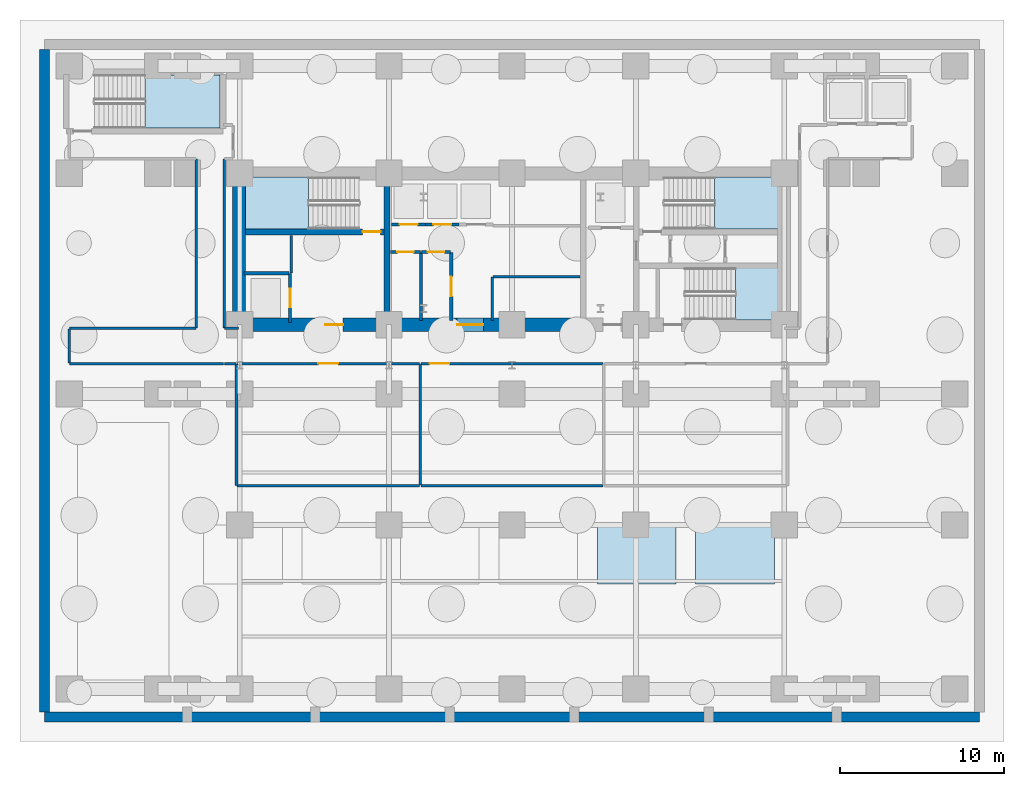
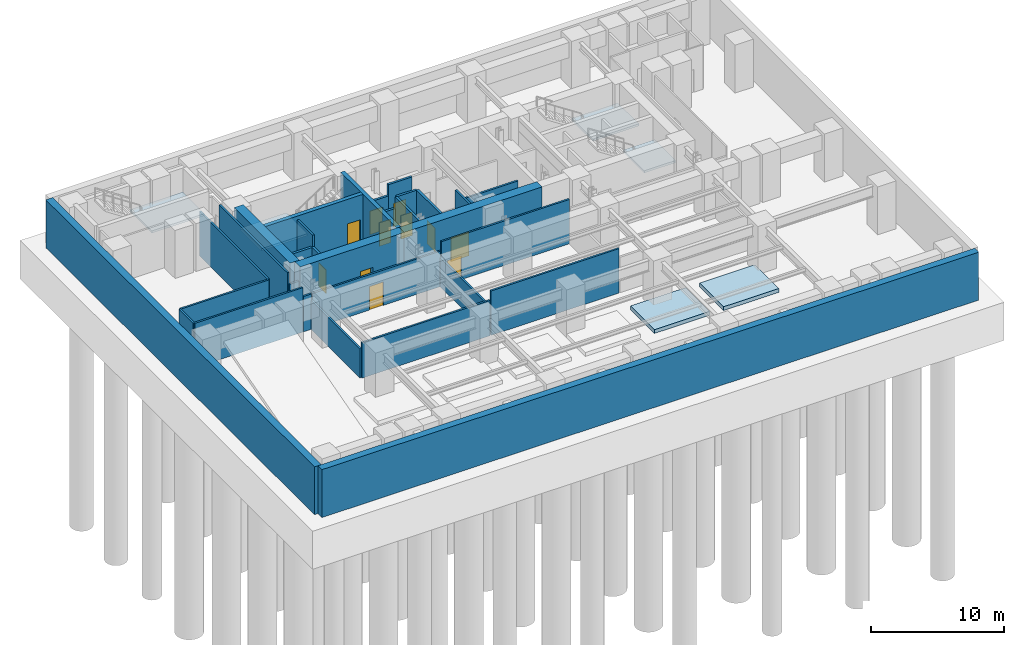
# One storey, part 3 of 9: 31 walls, 11 doors, 6 slabs, 11 openings, 4 elements without a shape of their own.
"""IFC4 building model written with IfcOpenShell, lengths in metres."""

from ifc_helpers import new_model, si_unit, direction, frame, frame_2d, origin, place, context, subcontext, project, spatial, polyline, rectangle, outline, extrude, material, layer, layer_set, type_object, element, fill, aggregate, save


model = new_model("IFC4")

# Units and contexts
model_context = context("Model", 3, precision=1e-05, world=origin(), true_north=direction((0.0, 1.0)))
body_context = subcontext(model_context, "Body", "Model", "MODEL_VIEW")
ifc_project = project(units=[si_unit("LENGTHUNIT", "METRE"), si_unit("AREAUNIT", "SQUARE_METRE"), si_unit("VOLUMEUNIT", "CUBIC_METRE"), si_unit("PLANEANGLEUNIT", "RADIAN"), si_unit("MASSUNIT", "GRAM", prefix="KILO")], contexts=[model_context])

# Site, building, storey
site_placement = place(None, origin())
site = spatial("IfcSite", under=ifc_project, at=site_placement, CompositionType="ELEMENT")
building_placement = place(site_placement, origin())
building = spatial("IfcBuilding", under=site, at=building_placement, Name="Zarnavel Station Tower", CompositionType="ELEMENT")
storey_placement = place(building_placement, frame((0.0, 0.0, -13.199951171875)))
storey = spatial("IfcBuildingStorey", under=building, at=storey_placement, Name="B03", CompositionType="ELEMENT", Elevation=-13.199951171875)

# Slabs
ifc_material_1 = material(Name="Concrete C45/55", Category="concrete")
ifc_layer_1 = layer(ifc_material_1, 0.35009765625)
ifc_layer_set_1 = layer_set([ifc_layer_1], Name="SL_BASE_350")
slab_type_1 = type_object("IfcSlabType", Name="SL_BASE_350", PredefinedType="BASESLAB", material=ifc_layer_set_1)
slab_1_placement = place(storey_placement, origin())
element("IfcSlab", 1, at=slab_1_placement, inside=storey, type_object=slab_type_1, Name="B03 Equipment Base Plinth Slab 05", PredefinedType="BASESLAB", context=body_context, shape_type="SweptSolid", body=[
    extrude(outline(polyline([(34.0, 12.0), (38.800048828125, 12.0), (38.800048828125, 15.60009765625), (34.0, 15.60009765625), (34.0, 12.0)])), origin(), (0.0, 0.0, 1.0), 0.349853515625),
])
slab_2_placement = place(storey_placement, origin())
element("IfcSlab", 2, at=slab_2_placement, inside=storey, type_object=slab_type_1, Name="B03 Equipment Base Plinth Slab 06", PredefinedType="BASESLAB", context=body_context, shape_type="SweptSolid", body=[
    extrude(outline(polyline([(40.0, 12.0), (44.800048828125, 12.0), (44.800048828125, 15.60009765625), (40.0, 15.60009765625), (40.0, 12.0)])), origin(), (0.0, 0.0, 1.0), 0.349853515625),
])

# Stair, slab
ifc_material_2 = material(Name="Concrete C45/55", Category="concrete")
stair_type_1 = type_object("IfcStairType", Name="ST_CORE_150", PredefinedType="HALF_TURN_STAIR", material=ifc_material_2)
stair_1_placement = place(storey_placement, origin())
stair_1 = element("IfcStair", 3, at=stair_1_placement, inside=storey, type_object=stair_type_1, Name="B03 Core Exit Stair ST1", PredefinedType="HALF_TURN_STAIR")
ifc_material_3 = material(Name="Concrete C45/55", Category="concrete")
ifc_layer_2 = layer(ifc_material_3, 0.199951171875)
ifc_layer_set_2 = layer_set([ifc_layer_2], Name="SL_STAIR_LAND_200")
slab_type_2 = type_object("IfcSlabType", Name="SL_STAIR_LAND_200", PredefinedType="LANDING", material=ifc_layer_set_2)
slab_3_placement = place(storey_placement, frame((0.0, 0.0, 2.0)))
slab_3 = element("IfcSlab", 4, at=slab_3_placement, type_object=slab_type_2, Name="ST1 landing 1", PredefinedType="LANDING", context=body_context, shape_type="SweptSolid", body=[
    extrude(outline(polyline([(16.39990234375, 36.820068359375), (12.39990234375, 36.820068359375), (12.39990234375, 33.659912109375), (16.39990234375, 33.659912109375), (16.39990234375, 36.820068359375)])), origin(), (0.0, 0.0, 1.0), 0.199951171875),
])
aggregate(stair_1, [slab_3])

stair_2_placement = place(storey_placement, origin())
stair_2 = element("IfcStair", 5, at=stair_2_placement, inside=storey, type_object=stair_type_1, Name="B03 Core Exit Stair ST2", PredefinedType="HALF_TURN_STAIR")
slab_4_placement = place(storey_placement, frame((0.0, 0.0, 2.0)))
slab_4 = element("IfcSlab", 6, at=slab_4_placement, type_object=slab_type_2, Name="ST2 landing 1", PredefinedType="LANDING", context=body_context, shape_type="SweptSolid", body=[
    extrude(outline(polyline([(41.159912109375, 33.659912109375), (45.159912109375, 33.659912109375), (45.159912109375, 36.820068359375), (41.159912109375, 36.820068359375), (41.159912109375, 33.659912109375)])), origin(), (0.0, 0.0, 1.0), 0.199951171875),
])
aggregate(stair_2, [slab_4])

stair_3_placement = place(storey_placement, origin())
stair_3 = element("IfcStair", 7, at=stair_3_placement, inside=storey, type_object=stair_type_1, Name="B03 Core Exit Stair ST3", PredefinedType="HALF_TURN_STAIR")
slab_5_placement = place(storey_placement, frame((0.0, 0.0, 2.0)))
slab_5 = element("IfcSlab", 8, at=slab_5_placement, type_object=slab_type_2, Name="ST3 landing 1", PredefinedType="LANDING", context=body_context, shape_type="SweptSolid", body=[
    extrude(outline(polyline([(42.429931640625, 28.1201171875), (45.14990234375, 28.1201171875), (45.14990234375, 31.280029296875), (42.429931640625, 31.280029296875), (42.429931640625, 28.1201171875)])), origin(), (0.0, 0.0, 1.0), 0.199951171875),
])
aggregate(stair_3, [slab_5])

ifc_material_4 = material(Name="Concrete C45/55", Category="concrete")
stair_type_2 = type_object("IfcStairType", Name="ST_POD_155", PredefinedType="HALF_TURN_STAIR", material=ifc_material_4)
stair_4_placement = place(storey_placement, origin())
stair_4 = element("IfcStair", 9, at=stair_4_placement, inside=storey, type_object=stair_type_2, Name="B03 Core Exit Stair ST4", PredefinedType="HALF_TURN_STAIR")
slab_6_placement = place(storey_placement, frame((0.0, 0.0, 2.0)))
slab_6 = element("IfcSlab", 10, at=slab_6_placement, type_object=slab_type_2, Name="ST4 landing 1", PredefinedType="LANDING", context=body_context, shape_type="SweptSolid", body=[
    extrude(outline(polyline([(6.429931640625, 39.800048828125), (11.0, 39.800048828125), (11.0, 43.06005859375), (6.429931640625, 43.06005859375), (6.429931640625, 39.800048828125)])), origin(), (0.0, 0.0, 1.0), 0.199951171875),
])
aggregate(stair_4, [slab_6])

# Wall
ifc_material_5 = material(Name="Concrete C50/60", Category="concrete")
ifc_layer_3 = layer(ifc_material_5, 0.35009765625)
ifc_layer_set_3 = layer_set([ifc_layer_3], Name="CW_350")
wall_type_1 = type_object("IfcWallType", Name="CW_350", PredefinedType="SHEAR", material=ifc_layer_set_3)
wall_1_placement = place(storey_placement, frame((21.179931640625, 28.219970703125, 0.0), z_axis=(0.0, 0.0, 1.0), x_axis=(0.0, 1.0, 0.0)))
element("IfcWall", 11, at=wall_1_placement, inside=storey, type_object=wall_type_1, Name="B03 Rear Core Shear Wall DIV-W", PredefinedType="SHEAR", context=body_context, shape_type="SweptSolid", body=[
    extrude(rectangle(XDim=8.429931640625, YDim=0.35009765625, at=frame_2d((4.21484375, 0.0))), origin(), (0.0, 0.0, 1.0), 4.39990234375),
])

# Wall, opening, door
wall_2_placement = place(storey_placement, frame((21.0048828125, 33.47998046875, 0.0), z_axis=(0.0, 0.0, 1.0), x_axis=(-1.0, 0.0, 0.0)))
wall_2 = element("IfcWall", 12, at=wall_2_placement, inside=storey, type_object=wall_type_1, Name="B03 Rear Core Shear Wall DIV-H1", PredefinedType="SHEAR", context=body_context, shape_type="SweptSolid", body=[
    extrude(rectangle(XDim=8.454833984375, YDim=0.35009765625, at=frame_2d((4.2275390625, 0.0))), origin(), (0.0, 0.0, 1.0), 4.39990234375),
])
opening_1_placement = place(wall_2_placement, frame((0.219970703125, 0.0, 0.0)))
opening_1 = element("IfcOpeningElement", 13, at=opening_1_placement, cuts=wall_2, Name="Opening FD01", PredefinedType="OPENING", context=body_context, shape_type="SweptSolid", body=[
    extrude(rectangle(XDim=1.10009765625, YDim=2.14990234375, at=frame_2d((0.550048828125, 1.074951171875))), frame((0.0, 0.18505859375, 0.0), z_axis=(0.0, -1.0, 0.0), x_axis=(1.0, 0.0, 0.0)), (0.0, 0.0, 1.0), 0.3701171875),
])
ifc_material_6 = material(Name="Painted Galvanised Steel and Hardwood Leaf", Category="steel")
door_type_1 = type_object("IfcDoorType", Name="ID_STAIR_1100", OperationType="NOTDEFINED", PredefinedType="DOOR", material=ifc_material_6)
door_1_placement = place(opening_1_placement, origin())
door_1 = element("IfcDoor", 14, at=door_1_placement, inside=storey, type_object=door_type_1, Name="B03 Stair ST1 Lobby Fire Door", OperationType="SINGLE_SWING_LEFT", OverallHeight=2.14990234375, OverallWidth=1.10009765625, PredefinedType="DOOR", context=body_context, shape_type="SweptSolid", body=[
    extrude(rectangle(XDim=1.10009765625, YDim=2.14990234375, at=frame_2d((0.550048828125, 1.074951171875))), frame((0.0, 0.02490234375, 0.0), z_axis=(0.0, -1.0, 0.0), x_axis=(1.0, 0.0, 0.0)), (0.0, 0.0, 1.0), 0.050048828125),
])
fill(opening_1, door_1)

ifc_material_7 = material(Name="Concrete C60/75", Category="concrete")
ifc_layer_4 = layer(ifc_material_7, 0.800048828125)
ifc_layer_set_4 = layer_set([ifc_layer_4], Name="CW_800")
wall_type_2 = type_object("IfcWallType", Name="CW_800", PredefinedType="SHEAR", material=ifc_layer_set_4)
wall_3_placement = place(storey_placement, frame((21.179931640625, 27.820068359375, 0.0), z_axis=(0.0, 0.0, 1.0), x_axis=(-1.0, 0.0, 0.0)))
wall_3 = element("IfcWall", 15, at=wall_3_placement, inside=storey, type_object=wall_type_2, Name="B03 Rear Core Shear Wall S-W", PredefinedType="SHEAR", context=body_context, shape_type="SweptSolid", body=[
    extrude(rectangle(XDim=9.030029296875, YDim=0.800048828125, at=frame_2d((4.51513671875, 0.0))), origin(), (0.0, 0.0, 1.0), 4.39990234375),
])
opening_2_placement = place(wall_3_placement, frame((2.679931640625, 0.0, 0.0)))
opening_2 = element("IfcOpeningElement", 16, at=opening_2_placement, cuts=wall_3, Name="Opening FD01", PredefinedType="OPENING", context=body_context, shape_type="SweptSolid", body=[
    extrude(rectangle(XDim=1.10009765625, YDim=2.14990234375, at=frame_2d((0.550048828125, 1.074951171875))), frame((0.0, 0.409912109375, 0.0), z_axis=(0.0, -1.0, 0.0), x_axis=(1.0, 0.0, 0.0)), (0.0, 0.0, 1.0), 0.820068359375),
])
door_2_placement = place(opening_2_placement, origin())
door_2 = element("IfcDoor", 17, at=door_2_placement, inside=storey, type_object=door_type_1, Name="B03 West Firefighting Lobby Door", OperationType="SINGLE_SWING_RIGHT", OverallHeight=2.14990234375, OverallWidth=1.10009765625, PredefinedType="DOOR", context=body_context, shape_type="SweptSolid", body=[
    extrude(rectangle(XDim=1.10009765625, YDim=2.14990234375, at=frame_2d((0.550048828125, 1.074951171875))), frame((0.0, 0.02490234375, 0.0), z_axis=(0.0, -1.0, 0.0), x_axis=(1.0, 0.0, 0.0)), (0.0, 0.0, 1.0), 0.050048828125),
])
fill(opening_2, door_2)

wall_4_placement = place(storey_placement, frame((33.14990234375, 27.820068359375, 0.0), z_axis=(0.0, 0.0, 1.0), x_axis=(-1.0, 0.0, 0.0)))
wall_4 = element("IfcWall", 18, at=wall_4_placement, inside=storey, type_object=wall_type_2, Name="B03 Rear Core Shear Wall S-M", PredefinedType="SHEAR", context=body_context, shape_type="SweptSolid", body=[
    extrude(rectangle(XDim=11.969970703125, YDim=0.800048828125, at=frame_2d((5.98486328125, 0.0))), origin(), (0.0, 0.0, 1.0), 4.39990234375),
])
opening_3_placement = place(wall_4_placement, frame((6.10009765625, 0.0, 0.0)))
opening_3 = element("IfcOpeningElement", 19, at=opening_3_placement, cuts=wall_4, Name="Opening ID03", PredefinedType="OPENING", context=body_context, shape_type="SweptSolid", body=[
    extrude(rectangle(XDim=1.60009765625, YDim=2.199951171875, at=frame_2d((0.800048828125, 1.10009765625))), frame((0.0, 0.409912109375, 0.0), z_axis=(0.0, -1.0, 0.0), x_axis=(1.0, 0.0, 0.0)), (0.0, 0.0, 1.0), 0.820068359375),
])
ifc_material_8 = material(Name="Painted Galvanised Steel and Hardwood Leaf", Category="steel")
door_type_2 = type_object("IfcDoorType", Name="ID_PUBLIC_1600", OperationType="DOUBLE_DOOR_SINGLE_SWING", PredefinedType="DOOR", material=ifc_material_8)
door_3_placement = place(opening_3_placement, origin())
door_3 = element("IfcDoor", 20, at=door_3_placement, inside=storey, type_object=door_type_2, Name="B03 Passenger Lift Lobby Double Door", OperationType="SINGLE_SWING_LEFT", OverallHeight=2.199951171875, OverallWidth=1.60009765625, PredefinedType="DOOR", context=body_context, shape_type="SweptSolid", body=[
    extrude(rectangle(XDim=1.60009765625, YDim=2.199951171875, at=frame_2d((0.800048828125, 1.10009765625))), frame((0.0, 0.02490234375, 0.0), z_axis=(0.0, -1.0, 0.0), x_axis=(1.0, 0.0, 0.0)), (0.0, 0.0, 1.0), 0.050048828125),
])
fill(opening_3, door_3)

# Wall
wall_5_placement = place(storey_placement, frame((12.14990234375, 28.219970703125, 0.0), z_axis=(0.0, 0.0, 1.0), x_axis=(0.0, 1.0, 0.0)))
element("IfcWall", 21, at=wall_5_placement, inside=storey, type_object=wall_type_2, Name="B03 Rear Core Shear Wall W", PredefinedType="SHEAR", context=body_context, shape_type="SweptSolid", body=[
    extrude(rectangle(XDim=8.429931640625, YDim=0.800048828125, at=frame_2d((4.21484375, 0.0))), origin(), (0.0, 0.0, 1.0), 4.39990234375),
])

# Wall, opening, door
ifc_material_9 = material(Name="Gypsum Twin-Stud Acoustic Fire Partition", Category="concrete")
ifc_layer_5 = layer(ifc_material_9, 0.159912109375)
ifc_layer_set_5 = layer_set([ifc_layer_5], Name="PT_DEMISE_160")
wall_type_3 = type_object("IfcWallType", Name="PT_DEMISE_160", PredefinedType="PARTITIONING", material=ifc_layer_set_5)
wall_6_placement = place(storey_placement, frame((12.0400390625, 25.449951171875, 0.0), z_axis=(0.0, 0.0, 1.0), x_axis=(1.0, 0.0, 0.0)))
wall_6 = element("IfcWall", 22, at=wall_6_placement, inside=storey, type_object=wall_type_3, Name="B03 Partition COR-B-WT1", PredefinedType="PARTITIONING", context=body_context, shape_type="SweptSolid", body=[
    extrude(rectangle(XDim=11.119873046875, YDim=0.159912109375, at=frame_2d((5.56005859375, 0.0))), origin(), (0.0, 0.0, 1.0), 3.245849609375),
])
opening_4_placement = place(wall_6_placement, frame((4.9599609375, 0.0, 0.0)))
opening_4 = element("IfcOpeningElement", 23, at=opening_4_placement, cuts=wall_6, Name="Opening FD03", PredefinedType="OPENING", context=body_context, shape_type="SweptSolid", body=[
    extrude(rectangle(XDim=1.199951171875, YDim=2.14990234375, at=frame_2d((0.60009765625, 1.074951171875))), frame((0.0, 0.08984375, 0.0), z_axis=(0.0, -1.0, 0.0), x_axis=(1.0, 0.0, 0.0)), (0.0, 0.0, 1.0), 0.179931640625),
])
ifc_material_10 = material(Name="Painted Galvanised Steel and Hardwood Leaf", Category="steel")
door_type_3 = type_object("IfcDoorType", Name="ID_PLANT_1200", OperationType="NOTDEFINED", PredefinedType="DOOR", material=ifc_material_10)
door_4_placement = place(opening_4_placement, origin())
door_4 = element("IfcDoor", 24, at=door_4_placement, inside=storey, type_object=door_type_3, Name="B03 Door COR-B-WT1", OperationType="SINGLE_SWING_LEFT", OverallHeight=2.14990234375, OverallWidth=1.199951171875, PredefinedType="DOOR", context=body_context, shape_type="SweptSolid", body=[
    extrude(rectangle(XDim=1.199951171875, YDim=2.14990234375, at=frame_2d((0.60009765625, 1.074951171875))), frame((0.0, 0.02490234375, 0.0), z_axis=(0.0, -1.0, 0.0), x_axis=(1.0, 0.0, 0.0)), (0.0, 0.0, 1.0), 0.050048828125),
])
fill(opening_4, door_4)

wall_7_placement = place(storey_placement, frame((23.239990234375, 25.449951171875, 0.0), z_axis=(0.0, 0.0, 1.0), x_axis=(1.0, 0.0, 0.0)))
wall_7 = element("IfcWall", 25, at=wall_7_placement, inside=storey, type_object=wall_type_3, Name="B03 Partition COR-B-WT2", PredefinedType="PARTITIONING", context=body_context, shape_type="SweptSolid", body=[
    extrude(rectangle(XDim=11.1201171875, YDim=0.159912109375, at=frame_2d((5.56005859375, 0.0))), origin(), (0.0, 0.0, 1.0), 4.079833984375),
])
opening_5_placement = place(wall_7_placement, frame((0.541748046875, 0.0, 0.0)))
opening_5 = element("IfcOpeningElement", 26, at=opening_5_placement, cuts=wall_7, Name="Opening FD03", PredefinedType="OPENING", context=body_context, shape_type="SweptSolid", body=[
    extrude(rectangle(XDim=1.199951171875, YDim=2.14990234375, at=frame_2d((0.60009765625, 1.074951171875))), frame((0.0, 0.08984375, 0.0), z_axis=(0.0, -1.0, 0.0), x_axis=(1.0, 0.0, 0.0)), (0.0, 0.0, 1.0), 0.179931640625),
])
door_5_placement = place(opening_5_placement, origin())
door_5 = element("IfcDoor", 27, at=door_5_placement, inside=storey, type_object=door_type_3, Name="B03 Door COR-B-WT2", OperationType="SINGLE_SWING_RIGHT", OverallHeight=2.14990234375, OverallWidth=1.199951171875, PredefinedType="DOOR", context=body_context, shape_type="SweptSolid", body=[
    extrude(rectangle(XDim=1.199951171875, YDim=2.14990234375, at=frame_2d((0.60009765625, 1.074951171875))), frame((0.0, 0.02490234375, 0.0), z_axis=(0.0, -1.0, 0.0), x_axis=(1.0, 0.0, 0.0)), (0.0, 0.0, 1.0), 0.050048828125),
])
fill(opening_5, door_5)

# Walls
wall_8_placement = place(storey_placement, frame((12.0400390625, 18.0, 0.0), z_axis=(0.0, 0.0, 1.0), x_axis=(1.0, 0.0, 0.0)))
element("IfcWall", 28, at=wall_8_placement, inside=storey, type_object=wall_type_3, Name="B03 Partition CPK-S-WT1", PredefinedType="PARTITIONING", context=body_context, shape_type="SweptSolid", body=[
    extrude(rectangle(XDim=11.119873046875, YDim=0.159912109375, at=frame_2d((5.56005859375, 0.0))), origin(), (0.0, 0.0, 1.0), 3.245849609375),
])
wall_9_placement = place(storey_placement, frame((23.239990234375, 18.0, 0.0), z_axis=(0.0, 0.0, 1.0), x_axis=(1.0, 0.0, 0.0)))
element("IfcWall", 29, at=wall_9_placement, inside=storey, type_object=wall_type_3, Name="B03 Partition CPK-S-WT2", PredefinedType="PARTITIONING", context=body_context, shape_type="SweptSolid", body=[
    extrude(rectangle(XDim=11.1201171875, YDim=0.159912109375, at=frame_2d((5.56005859375, 0.0))), origin(), (0.0, 0.0, 1.0), 4.079833984375),
])
wall_10_placement = place(storey_placement, frame((23.199951171875, 18.0400390625, 0.0), z_axis=(0.0, 0.0, 1.0), x_axis=(0.0, 1.0, 0.0)))
element("IfcWall", 30, at=wall_10_placement, inside=storey, type_object=wall_type_3, Name="B03 Partition WT1-WT2", PredefinedType="PARTITIONING", context=body_context, shape_type="SweptSolid", body=[
    extrude(rectangle(XDim=7.369873046875, YDim=0.159912109375, at=frame_2d((3.68505859375, 0.0))), origin(), (0.0, 0.0, 1.0), 2.659912109375),
])
wall_11_placement = place(storey_placement, frame((15.35009765625, 30.9599609375, 0.0), z_axis=(0.0, 0.0, 1.0), x_axis=(0.0, 1.0, 0.0)))
element("IfcWall", 31, at=wall_11_placement, inside=storey, type_object=wall_type_3, Name="B03 Enclosure Wall FFL1", PredefinedType="PARTITIONING", context=body_context, shape_type="SweptSolid", body=[
    extrude(rectangle(XDim=2.31005859375, YDim=0.159912109375, at=frame_2d((1.155029296875, 0.0))), origin(), (0.0, 0.0, 1.0), 4.079833984375),
])
wall_12_placement = place(storey_placement, frame((27.6298828125, 30.75, 0.0), z_axis=(0.0, 0.0, 1.0), x_axis=(1.0, 0.0, 0.0)))
element("IfcWall", 32, at=wall_12_placement, inside=storey, type_object=wall_type_3, Name="B03 Enclosure Wall LLOBM", PredefinedType="PARTITIONING", context=body_context, shape_type="SweptSolid", body=[
    extrude(rectangle(XDim=5.31005859375, YDim=0.159912109375, at=frame_2d((2.655029296875, 0.0))), origin(), (0.0, 0.0, 1.0), 3.052001953125),
])
wall_13_placement = place(storey_placement, frame((27.60009765625, 28.080078125, 0.0), z_axis=(0.0, 0.0, 1.0), x_axis=(0.0, 1.0, 0.0)))
element("IfcWall", 33, at=wall_13_placement, inside=storey, type_object=wall_type_3, Name="B03 Enclosure Wall LLOBS", PredefinedType="PARTITIONING", context=body_context, shape_type="SweptSolid", body=[
    extrude(rectangle(XDim=2.639892578125, YDim=0.159912109375, at=frame_2d((1.31982421875, 0.0))), origin(), (0.0, 0.0, 1.0), 4.079833984375),
])
wall_14_placement = place(storey_placement, frame((11.280029296875, 25.449951171875, 0.0), z_axis=(0.0, 0.0, 1.0), x_axis=(1.0, 0.0, 0.0)))
element("IfcWall", 34, at=wall_14_placement, inside=storey, type_object=wall_type_3, Name="B03 Enclosure Wall COR-B", PredefinedType="PARTITIONING", context=body_context, shape_type="SweptSolid", body=[
    extrude(rectangle(XDim=0.68994140625, YDim=0.159912109375, at=frame_2d((0.344970703125, 0.0))), origin(), (0.0, 0.0, 1.0), 3.245849609375),
])
wall_15_placement = place(storey_placement, frame((11.280029296875, 27.60009765625, 0.0), z_axis=(0.0, 0.0, 1.0), x_axis=(1.0, 0.0, 0.0)))
element("IfcWall", 35, at=wall_15_placement, inside=storey, type_object=wall_type_3, Name="B03 Enclosure Wall COR-B", PredefinedType="PARTITIONING", context=body_context, shape_type="SweptSolid", body=[
    extrude(rectangle(XDim=0.840087890625, YDim=0.159912109375, at=frame_2d((0.419921875, 0.0))), origin(), (0.0, 0.0, 1.0), 3.052001953125),
])
wall_16_placement = place(storey_placement, frame((1.830078125, 25.449951171875, 0.0), z_axis=(0.0, 0.0, 1.0), x_axis=(1.0, 0.0, 0.0)))
element("IfcWall", 36, at=wall_16_placement, inside=storey, type_object=wall_type_3, Name="B03 Enclosure Wall COR-BW", PredefinedType="PARTITIONING", context=body_context, shape_type="SweptSolid", body=[
    extrude(rectangle(XDim=9.389892578125, YDim=0.159912109375, at=frame_2d((4.69482421875, 0.0))), origin(), (0.0, 0.0, 1.0), 4.079833984375),
])
wall_17_placement = place(storey_placement, frame((1.830078125, 27.60009765625, 0.0), z_axis=(0.0, 0.0, 1.0), x_axis=(1.0, 0.0, 0.0)))
element("IfcWall", 37, at=wall_17_placement, inside=storey, type_object=wall_type_3, Name="B03 Enclosure Wall COR-BW", PredefinedType="PARTITIONING", context=body_context, shape_type="SweptSolid", body=[
    extrude(rectangle(XDim=7.68994140625, YDim=0.159912109375, at=frame_2d((3.844970703125, 0.0))), origin(), (0.0, 0.0, 1.0), 4.079833984375),
])
wall_18_placement = place(storey_placement, frame((1.800048828125, 25.47998046875, 0.0), z_axis=(0.0, 0.0, 1.0), x_axis=(0.0, 1.0, 0.0)))
element("IfcWall", 38, at=wall_18_placement, inside=storey, type_object=wall_type_3, Name="B03 Enclosure Wall COR-BW", PredefinedType="PARTITIONING", context=body_context, shape_type="SweptSolid", body=[
    extrude(rectangle(XDim=2.090087890625, YDim=0.159912109375, at=frame_2d((1.044921875, 0.0))), origin(), (0.0, 0.0, 1.0), 4.079833984375),
])
for number, where, z_axis, x_axis, name in (
    (39, (9.550048828125, 27.6298828125, 0.0), (0.0, 0.0, 1.0), (0.0, 1.0, 0.0), "B03 Enclosure Wall COR-BWN"),
    (40, (11.25, 27.6298828125, 0.0), (0.0, 0.0, 1.0), (0.0, 1.0, 0.0), "B03 Enclosure Wall COR-BWN"),
):
    element("IfcWall", number, at=place(storey_placement, frame(where, z_axis=z_axis, x_axis=x_axis)), inside=storey, type_object=wall_type_3, Name=name, PredefinedType="PARTITIONING", context=body_context, shape_type="SweptSolid", body=[
        extrude(rectangle(XDim=10.2900390625, YDim=0.159912109375, at=frame_2d((5.14501953125, 0.0))), origin(), (0.0, 0.0, 1.0), 4.079833984375),
    ])
wall_19_placement = place(storey_placement, frame((12.0, 18.030029296875, 0.0), z_axis=(0.0, 0.0, 1.0), x_axis=(0.0, 1.0, 0.0)))
element("IfcWall", 41, at=wall_19_placement, inside=storey, type_object=wall_type_3, Name="B03 Enclosure Wall WT1", PredefinedType="PARTITIONING", context=body_context, shape_type="SweptSolid", body=[
    extrude(rectangle(XDim=7.389892578125, YDim=0.159912109375, at=frame_2d((3.69482421875, 0.0))), origin(), (0.0, 0.0, 1.0), 2.659912109375),
])

# Wall, opening, door
ifc_material_11 = material(Name="Precast concrete C45/55 (Fire Shaft Blockwork)", Category="masonry")
ifc_layer_6 = layer(ifc_material_11, 0.199951171875)
ifc_layer_set_6 = layer_set([ifc_layer_6], Name="PT_SHAFT_200")
wall_type_4 = type_object("IfcWallType", Name="PT_SHAFT_200", PredefinedType="PARTITIONING", material=ifc_layer_set_6)
wall_20_placement = place(storey_placement, frame((15.27001953125, 27.969970703125, 0.0), z_axis=(0.0, 0.0, 1.0), x_axis=(0.0, 1.0, 0.0)))
wall_20 = element("IfcWall", 42, at=wall_20_placement, inside=storey, type_object=wall_type_4, Name="B03 Lift FFL-01 Shaft Front Wall", PredefinedType="PARTITIONING", context=body_context, shape_type="SweptSolid", body=[
    extrude(rectangle(XDim=2.9599609375, YDim=0.199951171875, at=frame_2d((1.47998046875, 0.0))), origin(), (0.0, 0.0, 1.0), 3.052001953125),
])
opening_6_placement = place(wall_20_placement, frame((0.929931640625, 0.0, 0.0)))
opening_6 = element("IfcOpeningElement", 43, at=opening_6_placement, cuts=wall_20, Name="Opening LD01", PredefinedType="OPENING", context=body_context, shape_type="SweptSolid", body=[
    extrude(rectangle(XDim=1.10009765625, YDim=2.14990234375, at=frame_2d((0.550048828125, 1.074951171875))), frame((0.0, 0.10986328125, 0.0), z_axis=(0.0, -1.0, 0.0), x_axis=(1.0, 0.0, 0.0)), (0.0, 0.0, 1.0), 0.219970703125),
])
ifc_material_12 = material(Name="Painted Galvanised Steel and Hardwood Leaf", Category="steel")
door_type_4 = type_object("IfcDoorType", Name="LD_FF_1100", OperationType="DOUBLE_DOOR_SLIDING", PredefinedType="DOOR", material=ifc_material_12)
door_6_placement = place(opening_6_placement, origin())
door_6 = element("IfcDoor", 44, at=door_6_placement, inside=storey, type_object=door_type_4, Name="B03 Lift FFL-01 Sliding Landing Door", OperationType="DOUBLE_DOOR_SLIDING", OverallHeight=2.14990234375, OverallWidth=1.10009765625, PredefinedType="DOOR", context=body_context, shape_type="SweptSolid", body=[
    extrude(rectangle(XDim=1.10009765625, YDim=2.14990234375, at=frame_2d((0.550048828125, 1.074951171875))), frame((0.0, 0.02490234375, 0.0), z_axis=(0.0, -1.0, 0.0), x_axis=(1.0, 0.0, 0.0)), (0.0, 0.0, 1.0), 0.050048828125),
])
fill(opening_6, door_6)

# Wall
wall_21_placement = place(storey_placement, frame((12.449951171875, 30.949951171875, 0.0), z_axis=(0.0, 0.0, 1.0), x_axis=(1.0, 0.0, 0.0)))
element("IfcWall", 45, at=wall_21_placement, inside=storey, type_object=wall_type_4, Name="B03 Lift FFL-01 North Shaft Wall", PredefinedType="PARTITIONING", context=body_context, shape_type="SweptSolid", body=[
    extrude(rectangle(XDim=2.75, YDim=0.199951171875, at=frame_2d((1.375, 0.0))), origin(), (0.0, 0.0, 1.0), 3.052001953125),
])

# Wall, opening, door
wall_22_placement = place(storey_placement, frame((21.4599609375, 33.929931640625, 0.0), z_axis=(0.0, 0.0, 1.0), x_axis=(1.0, 0.0, 0.0)))
wall_22 = element("IfcWall", 46, at=wall_22_placement, inside=storey, type_object=wall_type_4, Name="B03 Lift PL-L1 Shaft Front Wall", PredefinedType="PARTITIONING", context=body_context, shape_type="SweptSolid", body=[
    extrude(rectangle(XDim=2.06494140625, YDim=0.199951171875, at=frame_2d((1.032470703125, 0.0))), origin(), (0.0, 0.0, 1.0), 3.052001953125),
])
opening_7_placement = place(wall_22_placement, frame((0.482421875, 0.0, 0.0)))
opening_7 = element("IfcOpeningElement", 47, at=opening_7_placement, cuts=wall_22, Name="Opening LD02", PredefinedType="OPENING", context=body_context, shape_type="SweptSolid", body=[
    extrude(rectangle(XDim=1.10009765625, YDim=2.14990234375, at=frame_2d((0.550048828125, 1.074951171875))), frame((0.0, 0.10986328125, 0.0), z_axis=(0.0, -1.0, 0.0), x_axis=(1.0, 0.0, 0.0)), (0.0, 0.0, 1.0), 0.219970703125),
])
ifc_material_13 = material(Name="Painted Galvanised Steel and Hardwood Leaf", Category="steel")
door_type_5 = type_object("IfcDoorType", Name="LD_PAX_1100", OperationType="DOUBLE_DOOR_SLIDING", PredefinedType="DOOR", material=ifc_material_13)
door_7_placement = place(opening_7_placement, origin())
door_7 = element("IfcDoor", 48, at=door_7_placement, inside=storey, type_object=door_type_5, Name="B03 Lift PL-L1 Sliding Landing Door", OperationType="DOUBLE_DOOR_SLIDING", OverallHeight=2.14990234375, OverallWidth=1.10009765625, PredefinedType="DOOR", context=body_context, shape_type="SweptSolid", body=[
    extrude(rectangle(XDim=1.10009765625, YDim=2.14990234375, at=frame_2d((0.550048828125, 1.074951171875))), frame((0.0, 0.02490234375, 0.0), z_axis=(0.0, -1.0, 0.0), x_axis=(1.0, 0.0, 0.0)), (0.0, 0.0, 1.0), 0.050048828125),
])
fill(opening_7, door_7)

wall_23_placement = place(storey_placement, frame((23.52490234375, 33.929931640625, 0.0), z_axis=(0.0, 0.0, 1.0), x_axis=(1.0, 0.0, 0.0)))
wall_23 = element("IfcWall", 49, at=wall_23_placement, inside=storey, type_object=wall_type_4, Name="B03 Lift PL-L2 Shaft Front Wall", PredefinedType="PARTITIONING", context=body_context, shape_type="SweptSolid", body=[
    extrude(rectangle(XDim=2.050048828125, YDim=0.199951171875, at=frame_2d((1.02490234375, 0.0))), origin(), (0.0, 0.0, 1.0), 4.079833984375),
])
opening_8_placement = place(wall_23_placement, frame((0.47509765625, 0.0, 0.0)))
opening_8 = element("IfcOpeningElement", 50, at=opening_8_placement, cuts=wall_23, Name="Opening LD02", PredefinedType="OPENING", context=body_context, shape_type="SweptSolid", body=[
    extrude(rectangle(XDim=1.10009765625, YDim=2.14990234375, at=frame_2d((0.550048828125, 1.074951171875))), frame((0.0, 0.10986328125, 0.0), z_axis=(0.0, -1.0, 0.0), x_axis=(1.0, 0.0, 0.0)), (0.0, 0.0, 1.0), 0.219970703125),
])
door_8_placement = place(opening_8_placement, origin())
door_8 = element("IfcDoor", 51, at=door_8_placement, inside=storey, type_object=door_type_5, Name="B03 Lift PL-L2 Sliding Landing Door", OperationType="DOUBLE_DOOR_SLIDING", OverallHeight=2.14990234375, OverallWidth=1.10009765625, PredefinedType="DOOR", context=body_context, shape_type="SweptSolid", body=[
    extrude(rectangle(XDim=1.10009765625, YDim=2.14990234375, at=frame_2d((0.550048828125, 1.074951171875))), frame((0.0, 0.02490234375, 0.0), z_axis=(0.0, -1.0, 0.0), x_axis=(1.0, 0.0, 0.0)), (0.0, 0.0, 1.0), 0.050048828125),
])
fill(opening_8, door_8)

wall_24_placement = place(storey_placement, frame((21.39990234375, 32.25, 0.0), z_axis=(0.0, 0.0, 1.0), x_axis=(1.0, 0.0, 0.0)))
wall_24 = element("IfcWall", 52, at=wall_24_placement, inside=storey, type_object=wall_type_4, Name="B03 Partition LLOB-CS1", PredefinedType="PARTITIONING", context=body_context, shape_type="SweptSolid", body=[
    extrude(rectangle(XDim=1.81005859375, YDim=0.199951171875, at=frame_2d((0.905029296875, 0.0))), origin(), (0.0, 0.0, 1.0), 3.052001953125),
])
opening_9_placement = place(wall_24_placement, frame((0.405029296875, 0.0, 0.0)))
opening_9 = element("IfcOpeningElement", 53, at=opening_9_placement, cuts=wall_24, Name="Opening FD02", PredefinedType="OPENING", context=body_context, shape_type="SweptSolid", body=[
    extrude(rectangle(XDim=1.0, YDim=2.14990234375, at=frame_2d((0.5, 1.074951171875))), frame((0.0, 0.10986328125, 0.0), z_axis=(0.0, -1.0, 0.0), x_axis=(1.0, 0.0, 0.0)), (0.0, 0.0, 1.0), 0.219970703125),
])
ifc_material_14 = material(Name="Painted Galvanised Steel and Hardwood Leaf", Category="steel")
door_type_6 = type_object("IfcDoorType", Name="ID_ENTRY_1000", OperationType="NOTDEFINED", PredefinedType="DOOR", material=ifc_material_14)
door_9_placement = place(opening_9_placement, origin())
door_9 = element("IfcDoor", 54, at=door_9_placement, inside=storey, type_object=door_type_6, Name="B03 Door LLOB-CS1", OperationType="SINGLE_SWING_LEFT", OverallHeight=2.14990234375, OverallWidth=1.0, PredefinedType="DOOR", context=body_context, shape_type="SweptSolid", body=[
    extrude(rectangle(XDim=1.0, YDim=2.14990234375, at=frame_2d((0.5, 1.074951171875))), frame((0.0, 0.02490234375, 0.0), z_axis=(0.0, -1.0, 0.0), x_axis=(1.0, 0.0, 0.0)), (0.0, 0.0, 1.0), 0.050048828125),
])
fill(opening_9, door_9)

wall_25_placement = place(storey_placement, frame((23.2900390625, 32.25, 0.0), z_axis=(0.0, 0.0, 1.0), x_axis=(1.0, 0.0, 0.0)))
wall_25 = element("IfcWall", 55, at=wall_25_placement, inside=storey, type_object=wall_type_4, Name="B03 Partition LLOB-CS2", PredefinedType="PARTITIONING", context=body_context, shape_type="SweptSolid", body=[
    extrude(rectangle(XDim=1.77001953125, YDim=0.199951171875, at=frame_2d((0.885009765625, 0.0))), origin(), (0.0, 0.0, 1.0), 4.079833984375),
])
opening_10_placement = place(wall_25_placement, frame((0.385009765625, 0.0, 0.0)))
opening_10 = element("IfcOpeningElement", 56, at=opening_10_placement, cuts=wall_25, Name="Opening FD02", PredefinedType="OPENING", context=body_context, shape_type="SweptSolid", body=[
    extrude(rectangle(XDim=1.0, YDim=2.14990234375, at=frame_2d((0.5, 1.074951171875))), frame((0.0, 0.10986328125, 0.0), z_axis=(0.0, -1.0, 0.0), x_axis=(1.0, 0.0, 0.0)), (0.0, 0.0, 1.0), 0.219970703125),
])
door_10_placement = place(opening_10_placement, origin())
door_10 = element("IfcDoor", 57, at=door_10_placement, inside=storey, type_object=door_type_6, Name="B03 Door LLOB-CS2", OperationType="SINGLE_SWING_RIGHT", OverallHeight=2.14990234375, OverallWidth=1.0, PredefinedType="DOOR", context=body_context, shape_type="SweptSolid", body=[
    extrude(rectangle(XDim=1.0, YDim=2.14990234375, at=frame_2d((0.5, 1.074951171875))), frame((0.0, 0.02490234375, 0.0), z_axis=(0.0, -1.0, 0.0), x_axis=(1.0, 0.0, 0.0)), (0.0, 0.0, 1.0), 0.050048828125),
])
fill(opening_10, door_10)

wall_26_placement = place(storey_placement, frame((25.10009765625, 28.090087890625, 0.0), z_axis=(0.0, 0.0, 1.0), x_axis=(0.0, 1.0, 0.0)))
wall_26 = element("IfcWall", 58, at=wall_26_placement, inside=storey, type_object=wall_type_4, Name="B03 Partition LLOBS-CS2", PredefinedType="PARTITIONING", context=body_context, shape_type="SweptSolid", body=[
    extrude(rectangle(XDim=4.119873046875, YDim=0.199951171875, at=frame_2d((2.06005859375, 0.0))), origin(), (0.0, 0.0, 1.0), 4.079833984375),
])
opening_11_placement = place(wall_26_placement, frame((1.4599609375, 0.0, 0.0)))
opening_11 = element("IfcOpeningElement", 59, at=opening_11_placement, cuts=wall_26, Name="Opening FD03", PredefinedType="OPENING", context=body_context, shape_type="SweptSolid", body=[
    extrude(rectangle(XDim=1.199951171875, YDim=2.14990234375, at=frame_2d((0.60009765625, 1.074951171875))), frame((0.0, 0.10986328125, 0.0), z_axis=(0.0, -1.0, 0.0), x_axis=(1.0, 0.0, 0.0)), (0.0, 0.0, 1.0), 0.219970703125),
])
door_11_placement = place(opening_11_placement, origin())
door_11 = element("IfcDoor", 60, at=door_11_placement, inside=storey, type_object=door_type_3, Name="B03 Door LLOBS-CS2", OperationType="SINGLE_SWING_LEFT", OverallHeight=2.14990234375, OverallWidth=1.199951171875, PredefinedType="DOOR", context=body_context, shape_type="SweptSolid", body=[
    extrude(rectangle(XDim=1.199951171875, YDim=2.14990234375, at=frame_2d((0.60009765625, 1.074951171875))), frame((0.0, 0.02490234375, 0.0), z_axis=(0.0, -1.0, 0.0), x_axis=(1.0, 0.0, 0.0)), (0.0, 0.0, 1.0), 0.050048828125),
])
fill(opening_11, door_11)

# Walls
wall_27_placement = place(storey_placement, frame((23.25, 28.090087890625, 0.0), z_axis=(0.0, 0.0, 1.0), x_axis=(0.0, 1.0, 0.0)))
element("IfcWall", 61, at=wall_27_placement, inside=storey, type_object=wall_type_4, Name="B03 Partition CS1-CS2", PredefinedType="PARTITIONING", context=body_context, shape_type="SweptSolid", body=[
    extrude(rectangle(XDim=4.119873046875, YDim=0.199951171875, at=frame_2d((2.06005859375, 0.0))), origin(), (0.0, 0.0, 1.0), 4.079833984375),
])
ifc_material_15 = material(Name="Concrete C45/55", Category="concrete")
ifc_layer_7 = layer(ifc_material_15, 0.60009765625)
ifc_layer_set_7 = layer_set([ifc_layer_7], Name="RW_600")
wall_type_5 = type_object("IfcWallType", Name="RW_600", PredefinedType="USERDEFINED", material=ifc_layer_set_7)
wall_28_placement = place(storey_placement, frame((0.300048828125, 3.89990234375, 0.0), z_axis=(0.0, 0.0, 1.0), x_axis=(1.0, 0.0, 0.0)))
element("IfcWall", 62, at=wall_28_placement, inside=storey, type_object=wall_type_5, Name="B03 Perimeter Retaining Wall S", ObjectType="RETAININGWALL", PredefinedType="USERDEFINED", context=body_context, shape_type="SweptSolid", body=[
    extrude(rectangle(XDim=57.0, YDim=0.60009765625, at=frame_2d((28.5, 0.0))), origin(), (0.0, 0.0, 1.0), 4.39990234375),
])
wall_29_placement = place(storey_placement, frame((0.300048828125, 4.199951171875, 0.0), z_axis=(0.0, 0.0, 1.0), x_axis=(0.0, 1.0, 0.0)))
element("IfcWall", 63, at=wall_29_placement, inside=storey, type_object=wall_type_5, Name="B03 Perimeter Retaining Wall W", ObjectType="RETAININGWALL", PredefinedType="USERDEFINED", context=body_context, shape_type="SweptSolid", body=[
    extrude(rectangle(XDim=40.400146484375, YDim=0.60009765625, at=frame_2d((20.2001953125, 0.0))), origin(), (0.0, 0.0, 1.0), 4.39990234375),
])

save(model, "model.ifc")
